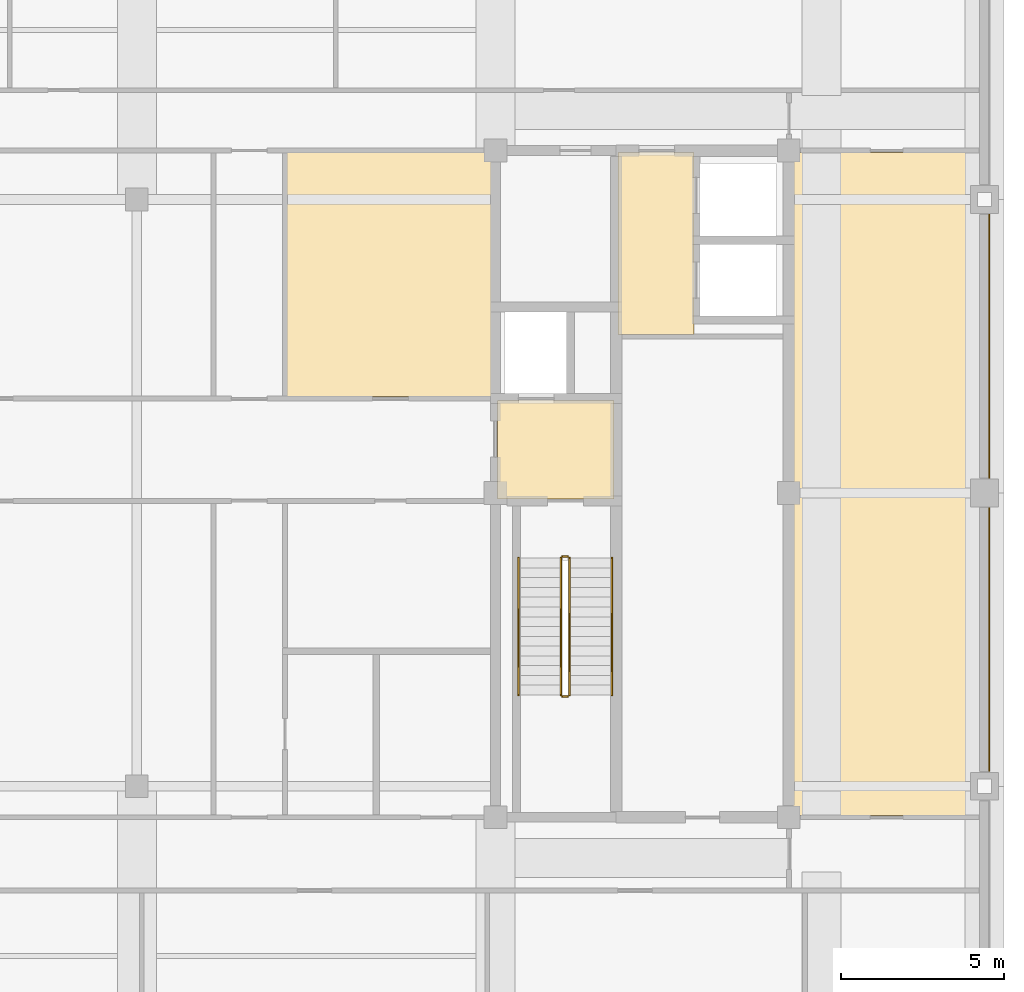
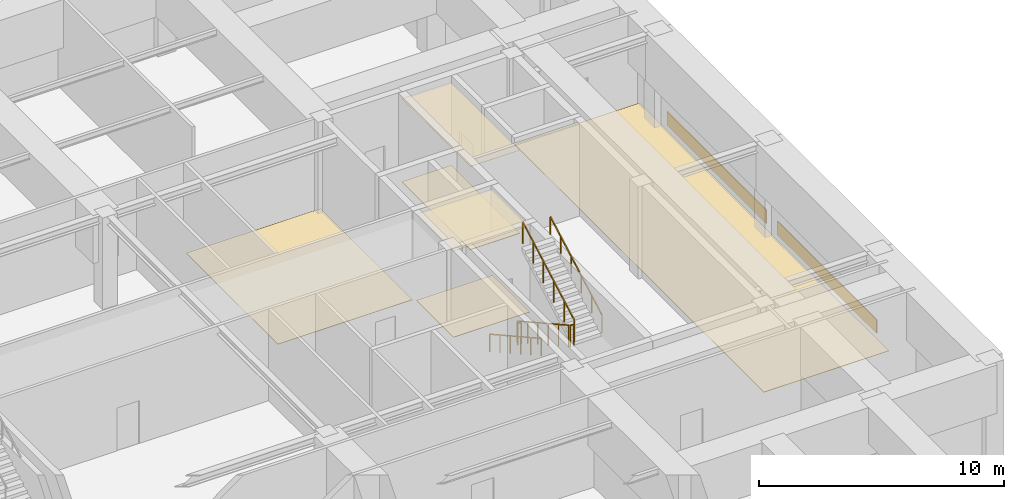
# One storey, part 10 of 11: 8 coverings, 6 railings.
"""IFC4 building model written with IfcOpenShell, lengths in metres."""

from ifc_helpers import new_model, si_unit, direction, frame, frame_2d, origin, origin_2d, place, context, subcontext, project, spatial, polyline, rectangle, outline, extrude, material, layer, layer_set, type_object, element, save


model = new_model("IFC4")

# Units and contexts
model_context = context("Model", 3, precision=1e-05, world=origin(), true_north=direction((0.0, 1.0)))
body_context = subcontext(model_context, "Body", "Model", "MODEL_VIEW")
ifc_project = project(units=[si_unit("LENGTHUNIT", "METRE"), si_unit("AREAUNIT", "SQUARE_METRE"), si_unit("VOLUMEUNIT", "CUBIC_METRE"), si_unit("PLANEANGLEUNIT", "RADIAN"), si_unit("MASSUNIT", "GRAM", prefix="KILO")], contexts=[model_context])

# Site, building, storey
site_placement = place(None, origin())
site = spatial("IfcSite", under=ifc_project, at=site_placement, CompositionType="ELEMENT")
building_placement = place(site_placement, origin())
building = spatial("IfcBuilding", under=site, at=building_placement, Name="Zulmaris Gate Convention Tower", CompositionType="ELEMENT")
storey_placement = place(building_placement, frame((0.0, 0.0, 249.429931640625)))
storey = spatial("IfcBuildingStorey", under=building, at=storey_placement, Name="L66", CompositionType="ELEMENT", Elevation=249.429931640625)

# Coverings
ifc_material_1 = material(Name="Precast concrete C40/50", Category="concrete")
ifc_layer_1 = layer(ifc_material_1, 0.0400390625, Name="Precast concrete C40/50")
ifc_layer_set_1 = layer_set([ifc_layer_1], Name="Precast concrete C40/50")
covering_type_1 = type_object("IfcCoveringType", Name="CLAD-SPANDREL-PRECAST", PredefinedType="CLADDING", material=ifc_layer_set_1)
for number, where, z_axis, x_axis, name in (
    (1, (26.14990234375, -8.544921875, 0.0), (0.0, 0.0, 1.0), (0.0, 1.0, 0.0), "CLD-L66-E-1_0"),
    (2, (26.14990234375, 0.455078125, 0.0), (0.0, 0.0, 1.0), (0.0, 1.0, 0.0), "CLD-L66-E-2_0"),
):
    element("IfcCovering", number, at=place(storey_placement, frame(where, z_axis=z_axis, x_axis=x_axis)), inside=storey, type_object=covering_type_1, Name=name, PredefinedType="CLADDING", context=body_context, shape_type="SweptSolid", body=[
        extrude(rectangle(XDim=8.08984375, YDim=0.0400390625, at=frame_2d((4.044921875, 0.0))), origin(), (0.0, 0.0, 1.0), 0.679931640625),
    ])
ifc_material_2 = material(Name="Mineral Fibre Acoustic Ceiling Tile")
ifc_layer_2 = layer(ifc_material_2, 0.02001953125, Name="Mineral Fibre Acoustic Ceiling Tile")
ifc_layer_set_2 = layer_set([ifc_layer_2], Name="Mineral Fibre Acoustic Ceiling Tile")
covering_type_2 = type_object("IfcCoveringType", Name="CLG-ACOUSTIC-600", PredefinedType="CEILING", material=ifc_layer_set_2)
covering_1_placement = place(storey_placement, frame((0.0, 0.0, 4.294921875)))
element("IfcCovering", 3, at=covering_1_placement, inside=storey, type_object=covering_type_2, Name="CLG-L66-R08", PredefinedType="CEILING", context=body_context, shape_type="SweptSolid", body=[
    extrude(outline(polyline([(11.06005859375, -0.18994140625), (14.639892578125, -0.18994140625), (14.639892578125, 2.840087890625), (11.06005859375, 2.840087890625), (11.06005859375, -0.18994140625)])), origin(), (0.0, 0.0, 1.0), 0.02001953125),
])
covering_2_placement = place(storey_placement, frame((0.0, 0.0, 4.133056640625)))
element("IfcCovering", 4, at=covering_2_placement, inside=storey, type_object=covering_type_2, Name="CLG-L66-R21", PredefinedType="CEILING", context=body_context, shape_type="SweptSolid", body=[
    extrude(outline(polyline([(14.760009765625, 4.860107421875), (17.090087890625, 4.860107421875), (17.090087890625, 10.43994140625), (14.760009765625, 10.43994140625), (14.760009765625, 4.860107421875)])), origin(), (0.0, 0.0, 1.0), 0.02001953125),
])
ifc_material_3 = material(Name="Woven Acoustic Wool Carpet Tile")
ifc_layer_3 = layer(ifc_material_3, 0.02001953125, Name="Woven Acoustic Wool Carpet Tile")
ifc_layer_set_3 = layer_set([ifc_layer_3], Name="Woven Acoustic Wool Carpet Tile")
covering_type_3 = type_object("IfcCoveringType", Name="FLR-CARPET-12", PredefinedType="FLOORING", material=ifc_layer_set_3)
covering_3_placement = place(storey_placement, origin())
element("IfcCovering", 5, at=covering_3_placement, inside=storey, type_object=covering_type_3, Name="FLR-L66-R08", PredefinedType="FLOORING", context=body_context, shape_type="SweptSolid", body=[
    extrude(outline(polyline([(11.06005859375, -0.18994140625), (14.639892578125, -0.18994140625), (14.639892578125, 2.840087890625), (11.06005859375, 2.840087890625), (11.06005859375, -0.18994140625)])), origin(), (0.0, 0.0, 1.0), 0.02001953125),
])
covering_4_placement = place(storey_placement, origin())
element("IfcCovering", 6, at=covering_4_placement, inside=storey, type_object=covering_type_3, Name="FLR-L66-R21", PredefinedType="FLOORING", context=body_context, shape_type="SweptSolid", body=[
    extrude(outline(polyline([(14.760009765625, 4.860107421875), (17.090087890625, 4.860107421875), (17.090087890625, 10.43994140625), (14.760009765625, 10.43994140625), (14.760009765625, 4.860107421875)])), origin(), (0.0, 0.0, 1.0), 0.02001953125),
])
covering_5_placement = place(storey_placement, origin())
element("IfcCovering", 7, at=covering_5_placement, inside=storey, type_object=covering_type_3, Name="FLR-L66-R35", PredefinedType="FLOORING", context=body_context, shape_type="SweptSolid", body=[
    extrude(outline(polyline([(4.610107421875, 2.9599609375), (10.93994140625, 2.9599609375), (10.93994140625, 10.43994140625), (4.610107421875, 10.43994140625), (4.610107421875, 2.9599609375)])), origin(), (0.0, 0.0, 1.0), 0.02001953125),
])
covering_6_placement = place(storey_placement, origin())
element("IfcCovering", 8, at=covering_6_placement, inside=storey, type_object=covering_type_3, Name="FLR-L66-R42", PredefinedType="FLOORING", context=body_context, shape_type="SweptSolid", body=[
    extrude(outline(polyline([(20.06005859375, -9.889892578125), (25.93994140625, -9.889892578125), (25.93994140625, 10.43994140625), (20.06005859375, 10.43994140625), (20.06005859375, -9.889892578125)])), origin(), (0.0, 0.0, 1.0), 0.02001953125),
])

# Railings
ifc_material_4 = material(Name="Painted Galvanised Steel", Category="steel")
railing_type_1 = type_object("IfcRailingType", Name="RL-STG-1150", PredefinedType="GUARDRAIL", material=ifc_material_4)
railing_1_placement = place(storey_placement, frame((13.010009765625, -2.0, 0.166748046875)))
element("IfcRailing", 9, at=railing_1_placement, inside=storey, type_object=railing_type_1, Name="L66 ST-2 stair guard 1", PredefinedType="GUARDRAIL", context=body_context, shape_type="SweptSolid", body=[
    extrude(rectangle(XDim=0.048095703125, YDim=0.048095703125, at=origin_2d()), frame((0.0, 0.0, 1.076171875), z_axis=(0.0, -0.874162069901, 0.485634302275), x_axis=(1.0, 0.0, 0.0)), (0.0, 0.0, 1.0), 4.804443359375),
    extrude(rectangle(XDim=0.0419921875, YDim=0.0419921875, at=origin_2d()), origin(), (0.0, 0.0, 1.0), 1.052001953125),
    extrude(rectangle(XDim=0.0419921875, YDim=0.0419921875, at=origin_2d()), frame((0.0, -0.840087890625, 0.466552734375)), (0.0, 0.0, 1.0), 1.052001953125),
    extrude(rectangle(XDim=0.0419921875, YDim=0.0419921875, at=origin_2d()), frame((0.0, -1.679931640625, 0.933349609375)), (0.0, 0.0, 1.0), 1.052001953125),
    extrude(rectangle(XDim=0.0419921875, YDim=0.0419921875, at=origin_2d()), frame((0.0, -2.52001953125, 1.39990234375)), (0.0, 0.0, 1.0), 1.052001953125),
    extrude(rectangle(XDim=0.0419921875, YDim=0.0419921875, at=origin_2d()), frame((0.0, -3.35986328125, 1.86669921875)), (0.0, 0.0, 1.0), 1.052001953125),
    extrude(rectangle(XDim=0.0419921875, YDim=0.0419921875, at=origin_2d()), frame((0.0, -4.199951171875, 2.333251953125)), (0.0, 0.0, 1.0), 1.052001953125),
])
railing_2_placement = place(storey_placement, frame((13.06005859375, -6.25, 2.5)))
element("IfcRailing", 10, at=railing_2_placement, inside=storey, type_object=railing_type_1, Name="L66 ST-2 stair guard 2", PredefinedType="GUARDRAIL", context=body_context, shape_type="SweptSolid", body=[
    extrude(rectangle(XDim=0.048095703125, YDim=0.048095703125, at=origin_2d()), frame((0.0, 0.0, 1.076171875), z_axis=(1.0, 0.0, 0.0), x_axis=(0.0, 1.0, 0.0)), (0.0, 0.0, 1.0), 0.159912109375),
    extrude(rectangle(XDim=0.0419921875, YDim=0.0419921875, at=origin_2d()), origin(), (0.0, 0.0, 1.0), 1.052001953125),
    extrude(rectangle(XDim=0.0419921875, YDim=0.0419921875, at=origin_2d()), frame((0.159912109375, 0.0, 0.0)), (0.0, 0.0, 1.0), 1.052001953125),
])
railing_3_placement = place(storey_placement, frame((13.27001953125, -6.199951171875, 2.666748046875)))
element("IfcRailing", 11, at=railing_3_placement, inside=storey, type_object=railing_type_1, Name="L66 ST-2 stair guard 3", PredefinedType="GUARDRAIL", context=body_context, shape_type="SweptSolid", body=[
    extrude(rectangle(XDim=0.048095703125, YDim=0.048095703125, at=origin_2d()), frame((0.0, 0.0, 1.076171875), z_axis=(0.0, 0.874162069901, 0.485634302275), x_axis=(-1.0, 0.0, 0.0)), (0.0, 0.0, 1.0), 4.804443359375),
    extrude(rectangle(XDim=0.0419921875, YDim=0.0419921875, at=origin_2d()), origin(), (0.0, 0.0, 1.0), 1.052001953125),
    extrude(rectangle(XDim=0.0419921875, YDim=0.0419921875, at=origin_2d()), frame((0.0, 0.840087890625, 0.466552734375)), (0.0, 0.0, 1.0), 1.052001953125),
    extrude(rectangle(XDim=0.0419921875, YDim=0.0419921875, at=origin_2d()), frame((0.0, 1.679931640625, 0.933349609375)), (0.0, 0.0, 1.0), 1.052001953125),
    extrude(rectangle(XDim=0.0419921875, YDim=0.0419921875, at=origin_2d()), frame((0.0, 2.52001953125, 1.39990234375)), (0.0, 0.0, 1.0), 1.052001953125),
    extrude(rectangle(XDim=0.0419921875, YDim=0.0419921875, at=origin_2d()), frame((0.0, 3.35986328125, 1.86669921875)), (0.0, 0.0, 1.0), 1.052001953125),
    extrude(rectangle(XDim=0.0419921875, YDim=0.0419921875, at=origin_2d()), frame((0.0, 4.199951171875, 2.333251953125)), (0.0, 0.0, 1.0), 1.052001953125),
])
railing_4_placement = place(storey_placement, frame((13.06005859375, -1.949951171875, 0.0)))
element("IfcRailing", 12, at=railing_4_placement, inside=storey, type_object=railing_type_1, Name="L66 ST-2 stair guard 4", PredefinedType="GUARDRAIL", context=body_context, shape_type="SweptSolid", body=[
    extrude(rectangle(XDim=0.048095703125, YDim=0.048095703125, at=origin_2d()), frame((0.0, 0.0, 1.076171875), z_axis=(1.0, 0.0, 0.0), x_axis=(0.0, 1.0, 0.0)), (0.0, 0.0, 1.0), 0.159912109375),
    extrude(rectangle(XDim=0.0419921875, YDim=0.0419921875, at=origin_2d()), origin(), (0.0, 0.0, 1.0), 1.052001953125),
    extrude(rectangle(XDim=0.0419921875, YDim=0.0419921875, at=origin_2d()), frame((0.159912109375, 0.0, 0.0)), (0.0, 0.0, 1.0), 1.052001953125),
])
ifc_material_5 = material(Name="Brushed Stainless Steel", Category="steel")
railing_type_2 = type_object("IfcRailingType", Name="RL-STH-900", PredefinedType="HANDRAIL", material=ifc_material_5)
railing_5_placement = place(storey_placement, frame((11.7099609375, -2.0, 0.166748046875)))
element("IfcRailing", 13, at=railing_5_placement, inside=storey, type_object=railing_type_2, Name="L66 ST-2 stair handrail 1", PredefinedType="HANDRAIL", context=body_context, shape_type="SweptSolid", body=[
    extrude(rectangle(XDim=0.048095703125, YDim=0.048095703125, at=origin_2d()), frame((0.0, 0.0, 0.8759765625), z_axis=(0.0, -0.874162069901, 0.485634302275), x_axis=(1.0, 0.0, 0.0)), (0.0, 0.0, 1.0), 4.804443359375),
    extrude(rectangle(XDim=0.0419921875, YDim=0.0419921875, at=origin_2d()), origin(), (0.0, 0.0, 1.0), 0.851806640625),
    extrude(rectangle(XDim=0.0419921875, YDim=0.0419921875, at=origin_2d()), frame((0.0, -0.840087890625, 0.466552734375)), (0.0, 0.0, 1.0), 0.851806640625),
    extrude(rectangle(XDim=0.0419921875, YDim=0.0419921875, at=origin_2d()), frame((0.0, -1.679931640625, 0.933349609375)), (0.0, 0.0, 1.0), 0.851806640625),
    extrude(rectangle(XDim=0.0419921875, YDim=0.0419921875, at=origin_2d()), frame((0.0, -2.52001953125, 1.39990234375)), (0.0, 0.0, 1.0), 0.851806640625),
    extrude(rectangle(XDim=0.0419921875, YDim=0.0419921875, at=origin_2d()), frame((0.0, -3.35986328125, 1.86669921875)), (0.0, 0.0, 1.0), 0.851806640625),
    extrude(rectangle(XDim=0.0419921875, YDim=0.0419921875, at=origin_2d()), frame((0.0, -4.199951171875, 2.333251953125)), (0.0, 0.0, 1.0), 0.851806640625),
])
railing_6_placement = place(storey_placement, frame((14.570068359375, -6.199951171875, 2.666748046875)))
element("IfcRailing", 14, at=railing_6_placement, inside=storey, type_object=railing_type_2, Name="L66 ST-2 stair handrail 2", PredefinedType="HANDRAIL", context=body_context, shape_type="SweptSolid", body=[
    extrude(rectangle(XDim=0.048095703125, YDim=0.048095703125, at=origin_2d()), frame((0.0, 0.0, 0.8759765625), z_axis=(0.0, 0.874162069901, 0.485634302275), x_axis=(-1.0, 0.0, 0.0)), (0.0, 0.0, 1.0), 4.804443359375),
    extrude(rectangle(XDim=0.0419921875, YDim=0.0419921875, at=origin_2d()), origin(), (0.0, 0.0, 1.0), 0.851806640625),
    extrude(rectangle(XDim=0.0419921875, YDim=0.0419921875, at=origin_2d()), frame((0.0, 0.840087890625, 0.466552734375)), (0.0, 0.0, 1.0), 0.851806640625),
    extrude(rectangle(XDim=0.0419921875, YDim=0.0419921875, at=origin_2d()), frame((0.0, 1.679931640625, 0.933349609375)), (0.0, 0.0, 1.0), 0.851806640625),
    extrude(rectangle(XDim=0.0419921875, YDim=0.0419921875, at=origin_2d()), frame((0.0, 2.52001953125, 1.39990234375)), (0.0, 0.0, 1.0), 0.851806640625),
    extrude(rectangle(XDim=0.0419921875, YDim=0.0419921875, at=origin_2d()), frame((0.0, 3.35986328125, 1.86669921875)), (0.0, 0.0, 1.0), 0.851806640625),
    extrude(rectangle(XDim=0.0419921875, YDim=0.0419921875, at=origin_2d()), frame((0.0, 4.199951171875, 2.333251953125)), (0.0, 0.0, 1.0), 0.851806640625),
])

save(model, "model.ifc")
